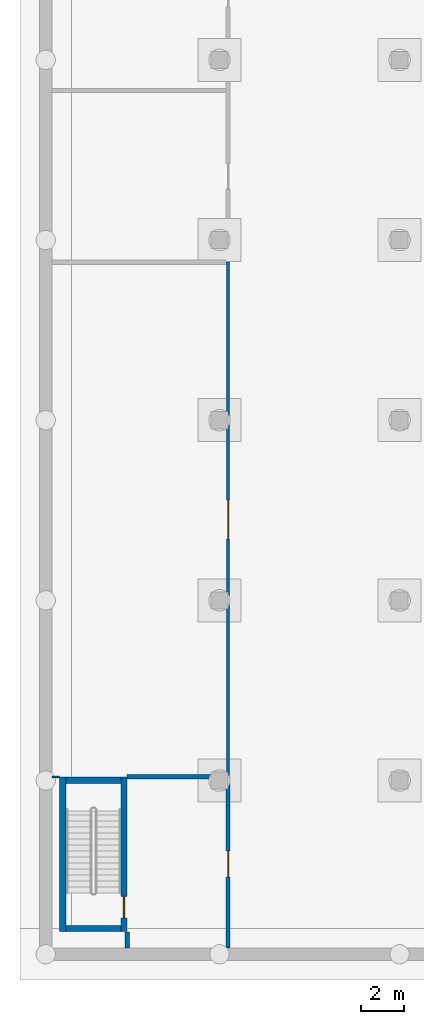
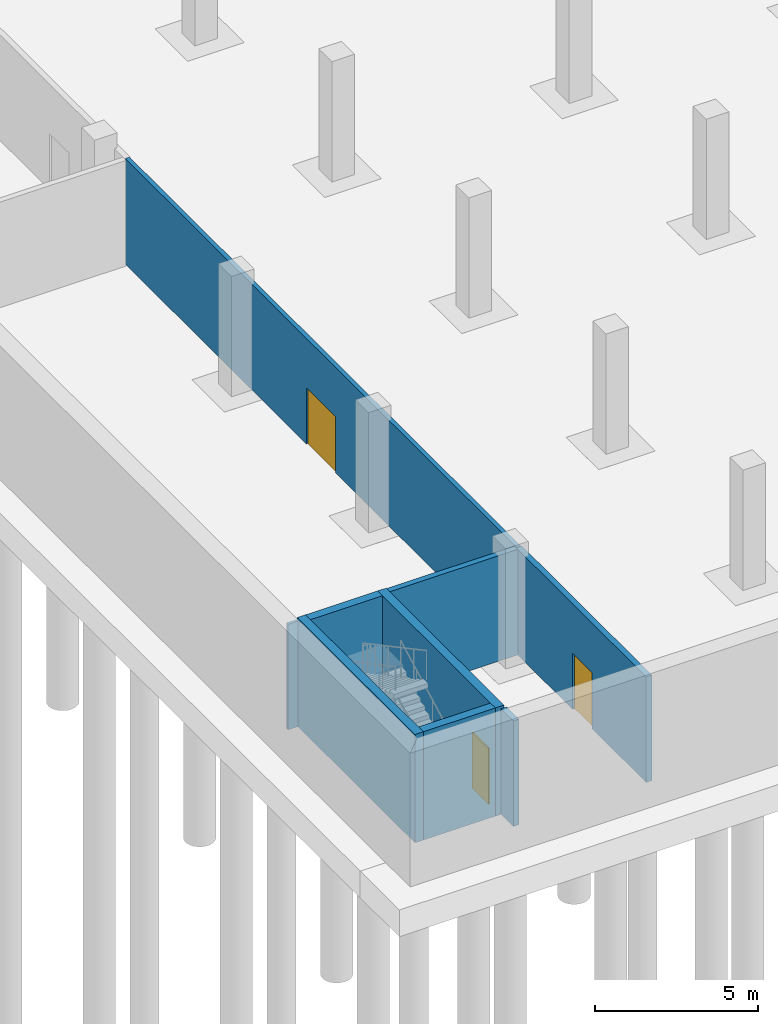
# One storey, part 5 of 23: 9 walls, 3 doors, 3 openings.
"""IFC4 building model written with IfcOpenShell, lengths in metres."""

from ifc_helpers import new_model, si_unit, direction, frame, frame_2d, origin, place, context, subcontext, project, spatial, rectangle, extrude, material, layer, layer_set, type_object, element, fill, save


model = new_model("IFC4")

# Units and contexts
model_context = context("Model", 3, precision=1e-05, world=origin(), true_north=direction((0.0, 1.0)))
body_context = subcontext(model_context, "Body", "Model", "MODEL_VIEW")
ifc_project = project(units=[si_unit("LENGTHUNIT", "METRE"), si_unit("AREAUNIT", "SQUARE_METRE"), si_unit("VOLUMEUNIT", "CUBIC_METRE"), si_unit("PLANEANGLEUNIT", "RADIAN"), si_unit("MASSUNIT", "GRAM", prefix="KILO")], contexts=[model_context])

# Site, building, storey
site_placement = place(None, origin())
site = spatial("IfcSite", under=ifc_project, at=site_placement, CompositionType="ELEMENT")
building_placement = place(site_placement, origin())
building = spatial("IfcBuilding", under=site, at=building_placement, Name="Trine Commons Tower", CompositionType="ELEMENT")
storey_placement = place(building_placement, frame((0.0, 0.0, -9.0)))
storey = spatial("IfcBuildingStorey", under=building, at=storey_placement, Name="B2", CompositionType="ELEMENT", Elevation=-9.0)

# Wall, opening, door
ifc_material_1 = material(Name="Plasterboard on steel stud", Category="steel")
ifc_layer_1 = layer(ifc_material_1, 0.14990234375)
ifc_layer_set_1 = layer_set([ifc_layer_1], Name="Plasterboard on steel stud")
wall_type_1 = type_object("IfcWallType", Name="Compartment wall 150 mm, EI 60", PredefinedType="PARTITIONING", material=ifc_layer_set_1)
wall_1_placement = place(storey_placement, frame((30.0, 53.0703125, 0.0), z_axis=(0.0, 0.0, 1.0), x_axis=(0.0, -1.0, 0.0)))
wall_1 = element("IfcWall", 1, at=wall_1_placement, inside=storey, type_object=wall_type_1, Name="Partition B2010", PredefinedType="PARTITIONING", context=body_context, shape_type="SweptSolid", body=[
    extrude(rectangle(XDim=24.00048828125, YDim=0.14990234375, at=frame_2d((12.000244140625, 0.0))), origin(), (0.0, 0.0, 1.0), 3.949951171875),
])
opening_1_placement = place(wall_1_placement, frame((11.10009765625, 0.0, 0.0)))
opening_1 = element("IfcOpeningElement", 2, at=opening_1_placement, cuts=wall_1, Name="Opening D-B202", PredefinedType="OPENING", context=body_context, shape_type="SweptSolid", body=[
    extrude(rectangle(XDim=1.800048828125, YDim=2.10009765625, at=frame_2d((0.89990234375, 1.050048828125))), frame((0.0, 0.0849609375, 0.0), z_axis=(0.0, -1.0, 0.0), x_axis=(1.0, 0.0, 0.0)), (0.0, 0.0, 1.0), 0.169921875),
])
ifc_material_2 = material(Name="Timber fire door set", Category="wood")
door_type_1 = type_object("IfcDoorType", Name="Double swing door 1800x2100, FD30S", OperationType="DOUBLE_DOOR_DOUBLE_SWING", PredefinedType="DOOR", material=ifc_material_2)
door_1_placement = place(opening_1_placement, origin())
door_1 = element("IfcDoor", 3, at=door_1_placement, inside=storey, type_object=door_type_1, Name="Door D-B202", OperationType="DOUBLE_DOOR_DOUBLE_SWING", OverallHeight=2.10009765625, OverallWidth=1.800048828125, PredefinedType="DOOR", context=body_context, shape_type="SweptSolid", body=[
    extrude(rectangle(XDim=1.800048828125, YDim=2.10009765625, at=frame_2d((0.89990234375, 1.050048828125))), frame((0.0, 0.02490234375, 0.0), z_axis=(0.0, -1.0, 0.0), x_axis=(1.0, 0.0, 0.0)), (0.0, 0.0, 1.0), 0.050048828125),
])
fill(opening_1, door_1)

# Walls
ifc_layer_2 = layer(ifc_material_1, 0.199951171875)
ifc_layer_set_2 = layer_set([ifc_layer_2], Name="Plasterboard on steel stud")
wall_type_2 = type_object("IfcWallType", Name="Fire wall 200 mm, EI 120", PredefinedType="PARTITIONING", material=ifc_layer_set_2)
wall_2_placement = place(storey_placement, frame((25.2998046875, 29.070068359375, 0.0), z_axis=(0.0, 0.0, 1.0), x_axis=(1.0, 0.0, 0.0)))
element("IfcWall", 4, at=wall_2_placement, inside=storey, type_object=wall_type_2, Name="Partition B2006", PredefinedType="PARTITIONING", context=body_context, shape_type="SweptSolid", body=[
    extrude(rectangle(XDim=4.60009765625, YDim=0.199951171875, at=frame_2d((2.300048828125, 0.0))), origin(), (0.0, 0.0, 1.0), 3.949951171875),
])
wall_3_placement = place(storey_placement, frame((25.300048828125, 21.10009765625, 0.0), z_axis=(0.0, 0.0, 1.0), x_axis=(0.0, 1.0, 0.0)))
element("IfcWall", 5, at=wall_3_placement, inside=storey, type_object=wall_type_2, Name="Partition B2008", PredefinedType="PARTITIONING", context=body_context, shape_type="SweptSolid", body=[
    extrude(rectangle(XDim=0.747802734375, YDim=0.199951171875, at=frame_2d((0.3740234375, 0.0))), origin(), (0.0, 0.0, 1.0), 3.949951171875),
])

# Wall, opening, door
wall_4_placement = place(storey_placement, frame((30.0, 29.0703125, 0.0), z_axis=(0.0, 0.0, 1.0), x_axis=(0.0, -1.0, 0.0)))
wall_4 = element("IfcWall", 6, at=wall_4_placement, inside=storey, type_object=wall_type_2, Name="Partition B2009", PredefinedType="PARTITIONING", context=body_context, shape_type="SweptSolid", body=[
    extrude(rectangle(XDim=7.97021484375, YDim=0.199951171875, at=frame_2d((3.985107421875, 0.0))), origin(), (0.0, 0.0, 1.0), 3.949951171875),
])
opening_2_placement = place(wall_4_placement, frame((3.460205078125, 0.0, 0.0)))
opening_2 = element("IfcOpeningElement", 7, at=opening_2_placement, cuts=wall_4, Name="Opening D-B201", PredefinedType="OPENING", context=body_context, shape_type="SweptSolid", body=[
    extrude(rectangle(XDim=1.199951171875, YDim=2.10009765625, at=frame_2d((0.60009765625, 1.050048828125))), frame((0.0, 0.10986328125, 0.0), z_axis=(0.0, -1.0, 0.0), x_axis=(1.0, 0.0, 0.0)), (0.0, 0.0, 1.0), 0.219970703125),
])
door_type_2 = type_object("IfcDoorType", Name="Single swing door 1200x2100, FD60", OperationType="SINGLE_SWING_LEFT", PredefinedType="DOOR", material=ifc_material_2)
door_2_placement = place(opening_2_placement, origin())
door_2 = element("IfcDoor", 8, at=door_2_placement, inside=storey, type_object=door_type_2, Name="Door D-B201", OperationType="SINGLE_SWING_LEFT", OverallHeight=2.10009765625, OverallWidth=1.199951171875, PredefinedType="DOOR", context=body_context, shape_type="SweptSolid", body=[
    extrude(rectangle(XDim=1.199951171875, YDim=2.10009765625, at=frame_2d((0.60009765625, 1.050048828125))), frame((0.0, 0.02490234375, 0.0), z_axis=(0.0, -1.0, 0.0), x_axis=(1.0, 0.0, 0.0)), (0.0, 0.0, 1.0), 0.050048828125),
])
fill(opening_2, door_2)

# Wall
ifc_layer_3 = layer(ifc_material_1, 0.10009765625)
ifc_layer_set_3 = layer_set([ifc_layer_3], Name="Plasterboard on steel stud")
wall_type_3 = type_object("IfcWallType", Name="Partition wall 100 mm stud, not rated", PredefinedType="PARTITIONING", material=ifc_layer_set_3)
wall_5_placement = place(storey_placement, frame((21.800048828125, 29.070068359375, 0.0), z_axis=(0.0, 0.0, 1.0), x_axis=(1.0, 0.0, 0.0)))
element("IfcWall", 9, at=wall_5_placement, inside=storey, type_object=wall_type_3, Name="Partition B2005", PredefinedType="PARTITIONING", context=body_context, shape_type="SweptSolid", body=[
    extrude(rectangle(XDim=0.347900390625, YDim=0.10009765625, at=frame_2d((0.173828125, 0.0))), origin(), (0.0, 0.0, 1.0), 3.949951171875),
])

# Wall, opening, door
ifc_material_3 = material(Name="Concrete C40/50", Category="concrete")
ifc_layer_4 = layer(ifc_material_3, 0.300048828125)
ifc_layer_set_4 = layer_set([ifc_layer_4], Name="Concrete C40/50")
wall_type_4 = type_object("IfcWallType", Name="RC stair enclosure wall 300 mm, C40/50", PredefinedType="SHEAR", material=ifc_layer_set_4)
wall_6_placement = place(storey_placement, frame((25.14990234375, 21.85009765625, 0.0), z_axis=(0.0, 0.0, 1.0), x_axis=(0.0, 1.0, 0.0)))
wall_6 = element("IfcWall", 10, at=wall_6_placement, inside=storey, type_object=wall_type_4, Name="Stair STB1 enclosure wall B2", PredefinedType="SHEAR", context=body_context, shape_type="SweptSolid", body=[
    extrude(rectangle(XDim=7.219970703125, YDim=0.300048828125, at=frame_2d((3.60986328125, 0.0))), origin(), (0.0, 0.0, 1.0), 4.050048828125),
])
opening_3_placement = place(wall_6_placement, frame((0.64990234375, 0.0, 0.0)))
opening_3 = element("IfcOpeningElement", 11, at=opening_3_placement, cuts=wall_6, Name="Opening D-S01", PredefinedType="OPENING", context=body_context, shape_type="SweptSolid", body=[
    extrude(rectangle(XDim=1.0, YDim=2.10009765625, at=frame_2d((0.5, 1.050048828125))), frame((0.0, 0.159912109375, 0.0), z_axis=(0.0, -1.0, 0.0), x_axis=(1.0, 0.0, 0.0)), (0.0, 0.0, 1.0), 0.320068359375),
])
ifc_material_4 = material(Name="Steel fire door FD90S", Category="steel")
door_type_3 = type_object("IfcDoorType", Name="Fire door 1000 x 2100, FD90S", OperationType="SINGLE_SWING_LEFT", PredefinedType="DOOR", material=ifc_material_4)
door_3_placement = place(opening_3_placement, origin())
door_3 = element("IfcDoor", 12, at=door_3_placement, inside=storey, type_object=door_type_3, Name="Stair STB1 door B2", OperationType="SINGLE_SWING_LEFT", OverallHeight=2.10009765625, OverallWidth=1.0, PredefinedType="DOOR", context=body_context, shape_type="SweptSolid", body=[
    extrude(rectangle(XDim=1.0, YDim=2.10009765625, at=frame_2d((0.5, 1.050048828125))), frame((0.0, 0.02490234375, 0.0), z_axis=(0.0, -1.0, 0.0), x_axis=(1.0, 0.0, 0.0)), (0.0, 0.0, 1.0), 0.050048828125),
])
fill(opening_3, door_3)

# Walls
wall_7_placement = place(storey_placement, frame((22.300048828125, 21.85009765625, 0.0), z_axis=(0.0, 0.0, 1.0), x_axis=(0.0, 1.0, 0.0)))
element("IfcWall", 13, at=wall_7_placement, inside=storey, type_object=wall_type_4, Name="Stair STB1 enclosure wall B2", PredefinedType="SHEAR", context=body_context, shape_type="SweptSolid", body=[
    extrude(rectangle(XDim=7.219970703125, YDim=0.300048828125, at=frame_2d((3.60986328125, 0.0))), origin(), (0.0, 0.0, 1.0), 4.050048828125),
])
for number, where, z_axis, x_axis, name in (
    (14, (25.0, 22.0, 0.0), (0.0, 0.0, 1.0), (-1.0, 0.0, 0.0), "Stair STB1 enclosure wall B2"),
    (15, (25.0, 28.919921875, 0.0), (0.0, 0.0, 1.0), (-1.0, 0.0, 0.0), "Stair STB1 enclosure wall B2"),
):
    element("IfcWall", number, at=place(storey_placement, frame(where, z_axis=z_axis, x_axis=x_axis)), inside=storey, type_object=wall_type_4, Name=name, PredefinedType="SHEAR", context=body_context, shape_type="SweptSolid", body=[
        extrude(rectangle(XDim=2.550048828125, YDim=0.300048828125, at=frame_2d((1.27490234375, 0.0))), origin(), (0.0, 0.0, 1.0), 4.050048828125),
    ])

save(model, "model.ifc")
